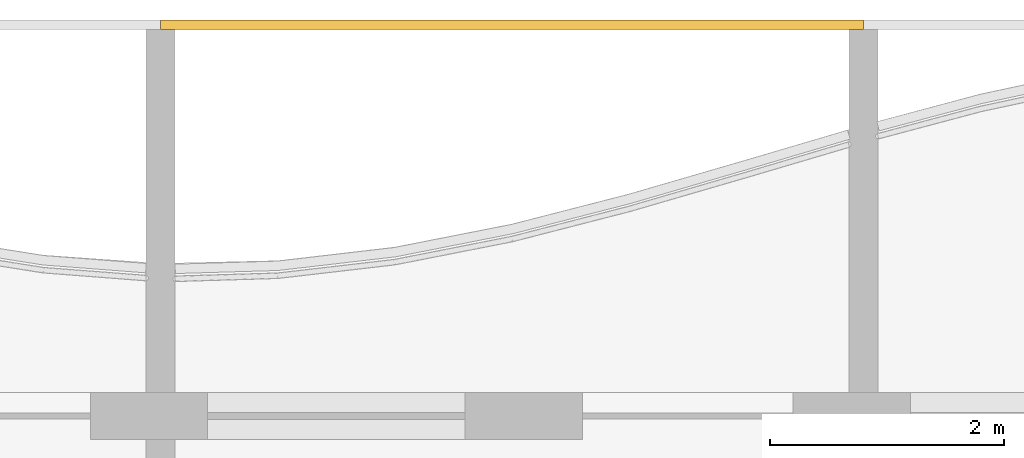
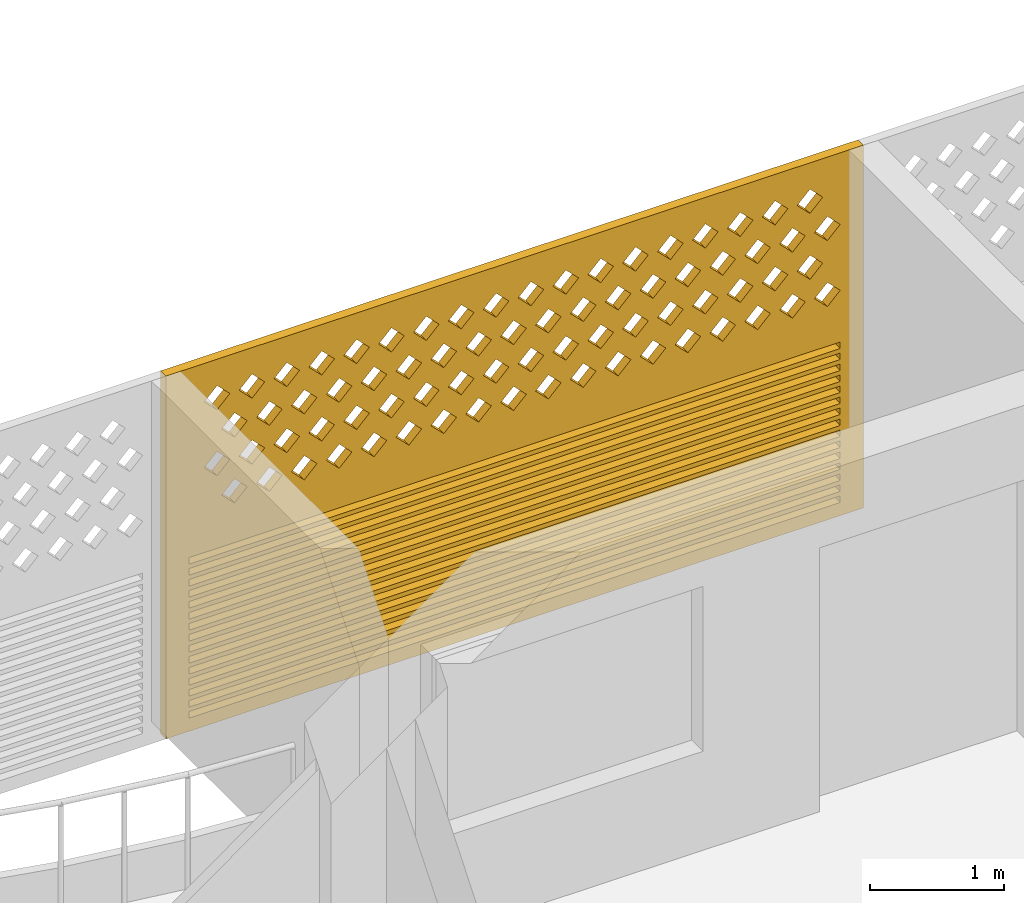
# One storey, part 21 of 29: 1 covering.
"""IFC4 building model written with IfcOpenShell, lengths in metres."""

from ifc_helpers import new_model, si_unit, direction, frame, origin, place, context, subcontext, project, spatial, polyline, outline, extrude, source, transform, mapped, material, material_profile, profile_set, type_object, element, save


model = new_model("IFC4")

# Units and contexts
model_context = context("Model", 3, precision=1e-05, world=origin(), true_north=direction((0.0, 1.0)))
body_context = subcontext(model_context, "Body", "Model", "MODEL_VIEW")
ifc_project = project(units=[si_unit("LENGTHUNIT", "METRE"), si_unit("AREAUNIT", "SQUARE_METRE"), si_unit("VOLUMEUNIT", "CUBIC_METRE"), si_unit("PLANEANGLEUNIT", "RADIAN"), si_unit("MASSUNIT", "GRAM", prefix="KILO")], contexts=[model_context])

# Site, building, storey
site_placement = place(None, origin())
site = spatial("IfcSite", under=ifc_project, at=site_placement, CompositionType="ELEMENT")
building_placement = place(site_placement, origin())
building = spatial("IfcBuilding", under=site, at=building_placement, Name="Poui Terraces", CompositionType="ELEMENT")
storey_placement = place(building_placement, frame((0.0, 0.0, 231.300048828125)))
storey = spatial("IfcBuildingStorey", under=building, at=storey_placement, Name="L64", CompositionType="ELEMENT", Elevation=231.300048828125)

# Covering
ifc_material = material(Name="Terracotta screen", Category="masonry")
ifc_material_profile = material_profile(ifc_material, outline(polyline([(-3.0, -1.64990234375), (3.0, -1.64990234375), (3.0, 1.64990234375), (-3.0, 1.64990234375), (-3.0, -1.64990234375)]), holes=[polyline([(-2.800048828125, 0.39990234375), (-2.68994140625, 0.2900390625), (-2.580078125, 0.39990234375), (-2.68994140625, 0.510009765625), (-2.800048828125, 0.39990234375)]), polyline([(-2.5, 0.39990234375), (-2.389892578125, 0.2900390625), (-2.280029296875, 0.39990234375), (-2.389892578125, 0.510009765625), (-2.5, 0.39990234375)]), polyline([(-2.199951171875, 0.39990234375), (-2.090087890625, 0.2900390625), (-1.97998046875, 0.39990234375), (-2.090087890625, 0.510009765625), (-2.199951171875, 0.39990234375)]), polyline([(-1.89990234375, 0.39990234375), (-1.7900390625, 0.2900390625), (-1.679931640625, 0.39990234375), (-1.7900390625, 0.510009765625), (-1.89990234375, 0.39990234375)]), polyline([(-1.60009765625, 0.39990234375), (-1.489990234375, 0.2900390625), (-1.3798828125, 0.39990234375), (-1.489990234375, 0.510009765625), (-1.60009765625, 0.39990234375)]), polyline([(-1.300048828125, 0.39990234375), (-1.18994140625, 0.2900390625), (-1.080078125, 0.39990234375), (-1.18994140625, 0.510009765625), (-1.300048828125, 0.39990234375)]), polyline([(-1.0, 0.39990234375), (-0.889892578125, 0.2900390625), (-0.780029296875, 0.39990234375), (-0.889892578125, 0.510009765625), (-1.0, 0.39990234375)]), polyline([(-0.699951171875, 0.39990234375), (-0.590087890625, 0.2900390625), (-0.47998046875, 0.39990234375), (-0.590087890625, 0.510009765625), (-0.699951171875, 0.39990234375)]), polyline([(-0.39990234375, 0.39990234375), (-0.2900390625, 0.2900390625), (-0.179931640625, 0.39990234375), (-0.2900390625, 0.510009765625), (-0.39990234375, 0.39990234375)]), polyline([(-0.10009765625, 0.39990234375), (0.010009765625, 0.2900390625), (0.1201171875, 0.39990234375), (0.010009765625, 0.510009765625), (-0.10009765625, 0.39990234375)]), polyline([(0.199951171875, 0.39990234375), (0.31005859375, 0.2900390625), (0.419921875, 0.39990234375), (0.31005859375, 0.510009765625), (0.199951171875, 0.39990234375)]), polyline([(0.5, 0.39990234375), (0.610107421875, 0.2900390625), (0.719970703125, 0.39990234375), (0.610107421875, 0.510009765625), (0.5, 0.39990234375)]), polyline([(0.800048828125, 0.39990234375), (0.909912109375, 0.2900390625), (1.02001953125, 0.39990234375), (0.909912109375, 0.510009765625), (0.800048828125, 0.39990234375)]), polyline([(1.10009765625, 0.39990234375), (1.2099609375, 0.2900390625), (1.320068359375, 0.39990234375), (1.2099609375, 0.510009765625), (1.10009765625, 0.39990234375)]), polyline([(1.39990234375, 0.39990234375), (1.510009765625, 0.2900390625), (1.6201171875, 0.39990234375), (1.510009765625, 0.510009765625), (1.39990234375, 0.39990234375)]), polyline([(1.699951171875, 0.39990234375), (1.81005859375, 0.2900390625), (1.919921875, 0.39990234375), (1.81005859375, 0.510009765625), (1.699951171875, 0.39990234375)]), polyline([(2.0, 0.39990234375), (2.110107421875, 0.2900390625), (2.219970703125, 0.39990234375), (2.110107421875, 0.510009765625), (2.0, 0.39990234375)]), polyline([(2.300048828125, 0.39990234375), (2.409912109375, 0.2900390625), (2.52001953125, 0.39990234375), (2.409912109375, 0.510009765625), (2.300048828125, 0.39990234375)]), polyline([(-2.64990234375, 0.699951171875), (-2.5400390625, 0.590087890625), (-2.429931640625, 0.699951171875), (-2.5400390625, 0.81005859375), (-2.64990234375, 0.699951171875)]), polyline([(-2.35009765625, 0.699951171875), (-2.239990234375, 0.590087890625), (-2.1298828125, 0.699951171875), (-2.239990234375, 0.81005859375), (-2.35009765625, 0.699951171875)]), polyline([(-2.050048828125, 0.699951171875), (-1.93994140625, 0.590087890625), (-1.830078125, 0.699951171875), (-1.93994140625, 0.81005859375), (-2.050048828125, 0.699951171875)]), polyline([(-1.75, 0.699951171875), (-1.639892578125, 0.590087890625), (-1.530029296875, 0.699951171875), (-1.639892578125, 0.81005859375), (-1.75, 0.699951171875)]), polyline([(-1.449951171875, 0.699951171875), (-1.340087890625, 0.590087890625), (-1.22998046875, 0.699951171875), (-1.340087890625, 0.81005859375), (-1.449951171875, 0.699951171875)]), polyline([(-1.14990234375, 0.699951171875), (-1.0400390625, 0.590087890625), (-0.929931640625, 0.699951171875), (-1.0400390625, 0.81005859375), (-1.14990234375, 0.699951171875)]), polyline([(-0.85009765625, 0.699951171875), (-0.739990234375, 0.590087890625), (-0.6298828125, 0.699951171875), (-0.739990234375, 0.81005859375), (-0.85009765625, 0.699951171875)]), polyline([(-0.550048828125, 0.699951171875), (-0.43994140625, 0.590087890625), (-0.330078125, 0.699951171875), (-0.43994140625, 0.81005859375), (-0.550048828125, 0.699951171875)]), polyline([(-0.25, 0.699951171875), (-0.139892578125, 0.590087890625), (-0.030029296875, 0.699951171875), (-0.139892578125, 0.81005859375), (-0.25, 0.699951171875)]), polyline([(0.050048828125, 0.699951171875), (0.159912109375, 0.590087890625), (0.27001953125, 0.699951171875), (0.159912109375, 0.81005859375), (0.050048828125, 0.699951171875)]), polyline([(0.35009765625, 0.699951171875), (0.4599609375, 0.590087890625), (0.570068359375, 0.699951171875), (0.4599609375, 0.81005859375), (0.35009765625, 0.699951171875)]), polyline([(0.64990234375, 0.699951171875), (0.760009765625, 0.590087890625), (0.8701171875, 0.699951171875), (0.760009765625, 0.81005859375), (0.64990234375, 0.699951171875)]), polyline([(0.949951171875, 0.699951171875), (1.06005859375, 0.590087890625), (1.169921875, 0.699951171875), (1.06005859375, 0.81005859375), (0.949951171875, 0.699951171875)]), polyline([(1.25, 0.699951171875), (1.360107421875, 0.590087890625), (1.469970703125, 0.699951171875), (1.360107421875, 0.81005859375), (1.25, 0.699951171875)]), polyline([(1.550048828125, 0.699951171875), (1.659912109375, 0.590087890625), (1.77001953125, 0.699951171875), (1.659912109375, 0.81005859375), (1.550048828125, 0.699951171875)]), polyline([(1.85009765625, 0.699951171875), (1.9599609375, 0.590087890625), (2.070068359375, 0.699951171875), (1.9599609375, 0.81005859375), (1.85009765625, 0.699951171875)]), polyline([(2.14990234375, 0.699951171875), (2.260009765625, 0.590087890625), (2.3701171875, 0.699951171875), (2.260009765625, 0.81005859375), (2.14990234375, 0.699951171875)]), polyline([(2.449951171875, 0.699951171875), (2.56005859375, 0.590087890625), (2.669921875, 0.699951171875), (2.56005859375, 0.81005859375), (2.449951171875, 0.699951171875)]), polyline([(-2.800048828125, 1.0), (-2.68994140625, 0.889892578125), (-2.580078125, 1.0), (-2.68994140625, 1.110107421875), (-2.800048828125, 1.0)]), polyline([(-2.5, 1.0), (-2.389892578125, 0.889892578125), (-2.280029296875, 1.0), (-2.389892578125, 1.110107421875), (-2.5, 1.0)]), polyline([(-2.199951171875, 1.0), (-2.090087890625, 0.889892578125), (-1.97998046875, 1.0), (-2.090087890625, 1.110107421875), (-2.199951171875, 1.0)]), polyline([(-1.89990234375, 1.0), (-1.7900390625, 0.889892578125), (-1.679931640625, 1.0), (-1.7900390625, 1.110107421875), (-1.89990234375, 1.0)]), polyline([(-1.60009765625, 1.0), (-1.489990234375, 0.889892578125), (-1.3798828125, 1.0), (-1.489990234375, 1.110107421875), (-1.60009765625, 1.0)]), polyline([(-1.300048828125, 1.0), (-1.18994140625, 0.889892578125), (-1.080078125, 1.0), (-1.18994140625, 1.110107421875), (-1.300048828125, 1.0)]), polyline([(-1.0, 1.0), (-0.889892578125, 0.889892578125), (-0.780029296875, 1.0), (-0.889892578125, 1.110107421875), (-1.0, 1.0)]), polyline([(-0.699951171875, 1.0), (-0.590087890625, 0.889892578125), (-0.47998046875, 1.0), (-0.590087890625, 1.110107421875), (-0.699951171875, 1.0)]), polyline([(-0.39990234375, 1.0), (-0.2900390625, 0.889892578125), (-0.179931640625, 1.0), (-0.2900390625, 1.110107421875), (-0.39990234375, 1.0)]), polyline([(-0.10009765625, 1.0), (0.010009765625, 0.889892578125), (0.1201171875, 1.0), (0.010009765625, 1.110107421875), (-0.10009765625, 1.0)]), polyline([(0.199951171875, 1.0), (0.31005859375, 0.889892578125), (0.419921875, 1.0), (0.31005859375, 1.110107421875), (0.199951171875, 1.0)]), polyline([(0.5, 1.0), (0.610107421875, 0.889892578125), (0.719970703125, 1.0), (0.610107421875, 1.110107421875), (0.5, 1.0)]), polyline([(0.800048828125, 1.0), (0.909912109375, 0.889892578125), (1.02001953125, 1.0), (0.909912109375, 1.110107421875), (0.800048828125, 1.0)]), polyline([(1.10009765625, 1.0), (1.2099609375, 0.889892578125), (1.320068359375, 1.0), (1.2099609375, 1.110107421875), (1.10009765625, 1.0)]), polyline([(1.39990234375, 1.0), (1.510009765625, 0.889892578125), (1.6201171875, 1.0), (1.510009765625, 1.110107421875), (1.39990234375, 1.0)]), polyline([(1.699951171875, 1.0), (1.81005859375, 0.889892578125), (1.919921875, 1.0), (1.81005859375, 1.110107421875), (1.699951171875, 1.0)]), polyline([(2.0, 1.0), (2.110107421875, 0.889892578125), (2.219970703125, 1.0), (2.110107421875, 1.110107421875), (2.0, 1.0)]), polyline([(2.300048828125, 1.0), (2.409912109375, 0.889892578125), (2.52001953125, 1.0), (2.409912109375, 1.110107421875), (2.300048828125, 1.0)]), polyline([(-2.64990234375, 1.300048828125), (-2.5400390625, 1.18994140625), (-2.429931640625, 1.300048828125), (-2.5400390625, 1.409912109375), (-2.64990234375, 1.300048828125)]), polyline([(-2.35009765625, 1.300048828125), (-2.239990234375, 1.18994140625), (-2.1298828125, 1.300048828125), (-2.239990234375, 1.409912109375), (-2.35009765625, 1.300048828125)]), polyline([(-2.050048828125, 1.300048828125), (-1.93994140625, 1.18994140625), (-1.830078125, 1.300048828125), (-1.93994140625, 1.409912109375), (-2.050048828125, 1.300048828125)]), polyline([(-1.75, 1.300048828125), (-1.639892578125, 1.18994140625), (-1.530029296875, 1.300048828125), (-1.639892578125, 1.409912109375), (-1.75, 1.300048828125)]), polyline([(-1.449951171875, 1.300048828125), (-1.340087890625, 1.18994140625), (-1.22998046875, 1.300048828125), (-1.340087890625, 1.409912109375), (-1.449951171875, 1.300048828125)]), polyline([(-1.14990234375, 1.300048828125), (-1.0400390625, 1.18994140625), (-0.929931640625, 1.300048828125), (-1.0400390625, 1.409912109375), (-1.14990234375, 1.300048828125)]), polyline([(-0.85009765625, 1.300048828125), (-0.739990234375, 1.18994140625), (-0.6298828125, 1.300048828125), (-0.739990234375, 1.409912109375), (-0.85009765625, 1.300048828125)]), polyline([(-0.550048828125, 1.300048828125), (-0.43994140625, 1.18994140625), (-0.330078125, 1.300048828125), (-0.43994140625, 1.409912109375), (-0.550048828125, 1.300048828125)]), polyline([(-0.25, 1.300048828125), (-0.139892578125, 1.18994140625), (-0.030029296875, 1.300048828125), (-0.139892578125, 1.409912109375), (-0.25, 1.300048828125)]), polyline([(0.050048828125, 1.300048828125), (0.159912109375, 1.18994140625), (0.27001953125, 1.300048828125), (0.159912109375, 1.409912109375), (0.050048828125, 1.300048828125)]), polyline([(0.35009765625, 1.300048828125), (0.4599609375, 1.18994140625), (0.570068359375, 1.300048828125), (0.4599609375, 1.409912109375), (0.35009765625, 1.300048828125)]), polyline([(0.64990234375, 1.300048828125), (0.760009765625, 1.18994140625), (0.8701171875, 1.300048828125), (0.760009765625, 1.409912109375), (0.64990234375, 1.300048828125)]), polyline([(0.949951171875, 1.300048828125), (1.06005859375, 1.18994140625), (1.169921875, 1.300048828125), (1.06005859375, 1.409912109375), (0.949951171875, 1.300048828125)]), polyline([(1.25, 1.300048828125), (1.360107421875, 1.18994140625), (1.469970703125, 1.300048828125), (1.360107421875, 1.409912109375), (1.25, 1.300048828125)]), polyline([(1.550048828125, 1.300048828125), (1.659912109375, 1.18994140625), (1.77001953125, 1.300048828125), (1.659912109375, 1.409912109375), (1.550048828125, 1.300048828125)]), polyline([(1.85009765625, 1.300048828125), (1.9599609375, 1.18994140625), (2.070068359375, 1.300048828125), (1.9599609375, 1.409912109375), (1.85009765625, 1.300048828125)]), polyline([(2.14990234375, 1.300048828125), (2.260009765625, 1.18994140625), (2.3701171875, 1.300048828125), (2.260009765625, 1.409912109375), (2.14990234375, 1.300048828125)]), polyline([(2.449951171875, 1.300048828125), (2.56005859375, 1.18994140625), (2.669921875, 1.300048828125), (2.56005859375, 1.409912109375), (2.449951171875, 1.300048828125)]), polyline([(-2.800048828125, -1.530029296875), (2.800048828125, -1.530029296875), (2.800048828125, -1.469970703125), (-2.800048828125, -1.469970703125), (-2.800048828125, -1.530029296875)]), polyline([(-2.800048828125, -1.429931640625), (2.800048828125, -1.429931640625), (2.800048828125, -1.3701171875), (-2.800048828125, -1.3701171875), (-2.800048828125, -1.429931640625)]), polyline([(-2.800048828125, -1.330078125), (2.800048828125, -1.330078125), (2.800048828125, -1.27001953125), (-2.800048828125, -1.27001953125), (-2.800048828125, -1.330078125)]), polyline([(-2.800048828125, -1.22998046875), (2.800048828125, -1.22998046875), (2.800048828125, -1.169921875), (-2.800048828125, -1.169921875), (-2.800048828125, -1.22998046875)]), polyline([(-2.800048828125, -1.1298828125), (2.800048828125, -1.1298828125), (2.800048828125, -1.070068359375), (-2.800048828125, -1.070068359375), (-2.800048828125, -1.1298828125)]), polyline([(-2.800048828125, -1.030029296875), (2.800048828125, -1.030029296875), (2.800048828125, -0.969970703125), (-2.800048828125, -0.969970703125), (-2.800048828125, -1.030029296875)]), polyline([(-2.800048828125, -0.929931640625), (2.800048828125, -0.929931640625), (2.800048828125, -0.8701171875), (-2.800048828125, -0.8701171875), (-2.800048828125, -0.929931640625)]), polyline([(-2.800048828125, -0.830078125), (2.800048828125, -0.830078125), (2.800048828125, -0.77001953125), (-2.800048828125, -0.77001953125), (-2.800048828125, -0.830078125)]), polyline([(-2.800048828125, -0.72998046875), (2.800048828125, -0.72998046875), (2.800048828125, -0.669921875), (-2.800048828125, -0.669921875), (-2.800048828125, -0.72998046875)]), polyline([(-2.800048828125, -0.6298828125), (2.800048828125, -0.6298828125), (2.800048828125, -0.570068359375), (-2.800048828125, -0.570068359375), (-2.800048828125, -0.6298828125)]), polyline([(-2.800048828125, -0.530029296875), (2.800048828125, -0.530029296875), (2.800048828125, -0.469970703125), (-2.800048828125, -0.469970703125), (-2.800048828125, -0.530029296875)]), polyline([(-2.800048828125, -0.429931640625), (2.800048828125, -0.429931640625), (2.800048828125, -0.3701171875), (-2.800048828125, -0.3701171875), (-2.800048828125, -0.429931640625)]), polyline([(-2.800048828125, -0.330078125), (2.800048828125, -0.330078125), (2.800048828125, -0.27001953125), (-2.800048828125, -0.27001953125), (-2.800048828125, -0.330078125)]), polyline([(-2.800048828125, -0.22998046875), (2.800048828125, -0.22998046875), (2.800048828125, -0.169921875), (-2.800048828125, -0.169921875), (-2.800048828125, -0.22998046875)]), polyline([(-2.800048828125, -0.1298828125), (2.800048828125, -0.1298828125), (2.800048828125, -0.070068359375), (-2.800048828125, -0.070068359375), (-2.800048828125, -0.1298828125)])]), Name="TERRACOTTA SCREEN AND JALOUSIE LOUVRE 6000X3300")
ifc_profile_set = profile_set([ifc_material_profile], Name="Terracotta screen")
covering_type = type_object("IfcCoveringType", Name="TERRACOTTA SCREEN AND JALOUSIE LOUVRE 6000X3300", PredefinedType="CLADDING", material=ifc_profile_set)
shared_shape = source(origin(), body_context, "Body", "SweptSolid", [
    extrude(outline(polyline([(-3.0, -1.64990234375), (3.0, -1.64990234375), (3.0, 1.64990234375), (-3.0, 1.64990234375), (-3.0, -1.64990234375)]), holes=[polyline([(-2.800048828125, 0.39990234375), (-2.68994140625, 0.2900390625), (-2.580078125, 0.39990234375), (-2.68994140625, 0.510009765625), (-2.800048828125, 0.39990234375)]), polyline([(-2.5, 0.39990234375), (-2.389892578125, 0.2900390625), (-2.280029296875, 0.39990234375), (-2.389892578125, 0.510009765625), (-2.5, 0.39990234375)]), polyline([(-2.199951171875, 0.39990234375), (-2.090087890625, 0.2900390625), (-1.97998046875, 0.39990234375), (-2.090087890625, 0.510009765625), (-2.199951171875, 0.39990234375)]), polyline([(-1.89990234375, 0.39990234375), (-1.7900390625, 0.2900390625), (-1.679931640625, 0.39990234375), (-1.7900390625, 0.510009765625), (-1.89990234375, 0.39990234375)]), polyline([(-1.60009765625, 0.39990234375), (-1.489990234375, 0.2900390625), (-1.3798828125, 0.39990234375), (-1.489990234375, 0.510009765625), (-1.60009765625, 0.39990234375)]), polyline([(-1.300048828125, 0.39990234375), (-1.18994140625, 0.2900390625), (-1.080078125, 0.39990234375), (-1.18994140625, 0.510009765625), (-1.300048828125, 0.39990234375)]), polyline([(-1.0, 0.39990234375), (-0.889892578125, 0.2900390625), (-0.780029296875, 0.39990234375), (-0.889892578125, 0.510009765625), (-1.0, 0.39990234375)]), polyline([(-0.699951171875, 0.39990234375), (-0.590087890625, 0.2900390625), (-0.47998046875, 0.39990234375), (-0.590087890625, 0.510009765625), (-0.699951171875, 0.39990234375)]), polyline([(-0.39990234375, 0.39990234375), (-0.2900390625, 0.2900390625), (-0.179931640625, 0.39990234375), (-0.2900390625, 0.510009765625), (-0.39990234375, 0.39990234375)]), polyline([(-0.10009765625, 0.39990234375), (0.010009765625, 0.2900390625), (0.1201171875, 0.39990234375), (0.010009765625, 0.510009765625), (-0.10009765625, 0.39990234375)]), polyline([(0.199951171875, 0.39990234375), (0.31005859375, 0.2900390625), (0.419921875, 0.39990234375), (0.31005859375, 0.510009765625), (0.199951171875, 0.39990234375)]), polyline([(0.5, 0.39990234375), (0.610107421875, 0.2900390625), (0.719970703125, 0.39990234375), (0.610107421875, 0.510009765625), (0.5, 0.39990234375)]), polyline([(0.800048828125, 0.39990234375), (0.909912109375, 0.2900390625), (1.02001953125, 0.39990234375), (0.909912109375, 0.510009765625), (0.800048828125, 0.39990234375)]), polyline([(1.10009765625, 0.39990234375), (1.2099609375, 0.2900390625), (1.320068359375, 0.39990234375), (1.2099609375, 0.510009765625), (1.10009765625, 0.39990234375)]), polyline([(1.39990234375, 0.39990234375), (1.510009765625, 0.2900390625), (1.6201171875, 0.39990234375), (1.510009765625, 0.510009765625), (1.39990234375, 0.39990234375)]), polyline([(1.699951171875, 0.39990234375), (1.81005859375, 0.2900390625), (1.919921875, 0.39990234375), (1.81005859375, 0.510009765625), (1.699951171875, 0.39990234375)]), polyline([(2.0, 0.39990234375), (2.110107421875, 0.2900390625), (2.219970703125, 0.39990234375), (2.110107421875, 0.510009765625), (2.0, 0.39990234375)]), polyline([(2.300048828125, 0.39990234375), (2.409912109375, 0.2900390625), (2.52001953125, 0.39990234375), (2.409912109375, 0.510009765625), (2.300048828125, 0.39990234375)]), polyline([(-2.64990234375, 0.699951171875), (-2.5400390625, 0.590087890625), (-2.429931640625, 0.699951171875), (-2.5400390625, 0.81005859375), (-2.64990234375, 0.699951171875)]), polyline([(-2.35009765625, 0.699951171875), (-2.239990234375, 0.590087890625), (-2.1298828125, 0.699951171875), (-2.239990234375, 0.81005859375), (-2.35009765625, 0.699951171875)]), polyline([(-2.050048828125, 0.699951171875), (-1.93994140625, 0.590087890625), (-1.830078125, 0.699951171875), (-1.93994140625, 0.81005859375), (-2.050048828125, 0.699951171875)]), polyline([(-1.75, 0.699951171875), (-1.639892578125, 0.590087890625), (-1.530029296875, 0.699951171875), (-1.639892578125, 0.81005859375), (-1.75, 0.699951171875)]), polyline([(-1.449951171875, 0.699951171875), (-1.340087890625, 0.590087890625), (-1.22998046875, 0.699951171875), (-1.340087890625, 0.81005859375), (-1.449951171875, 0.699951171875)]), polyline([(-1.14990234375, 0.699951171875), (-1.0400390625, 0.590087890625), (-0.929931640625, 0.699951171875), (-1.0400390625, 0.81005859375), (-1.14990234375, 0.699951171875)]), polyline([(-0.85009765625, 0.699951171875), (-0.739990234375, 0.590087890625), (-0.6298828125, 0.699951171875), (-0.739990234375, 0.81005859375), (-0.85009765625, 0.699951171875)]), polyline([(-0.550048828125, 0.699951171875), (-0.43994140625, 0.590087890625), (-0.330078125, 0.699951171875), (-0.43994140625, 0.81005859375), (-0.550048828125, 0.699951171875)]), polyline([(-0.25, 0.699951171875), (-0.139892578125, 0.590087890625), (-0.030029296875, 0.699951171875), (-0.139892578125, 0.81005859375), (-0.25, 0.699951171875)]), polyline([(0.050048828125, 0.699951171875), (0.159912109375, 0.590087890625), (0.27001953125, 0.699951171875), (0.159912109375, 0.81005859375), (0.050048828125, 0.699951171875)]), polyline([(0.35009765625, 0.699951171875), (0.4599609375, 0.590087890625), (0.570068359375, 0.699951171875), (0.4599609375, 0.81005859375), (0.35009765625, 0.699951171875)]), polyline([(0.64990234375, 0.699951171875), (0.760009765625, 0.590087890625), (0.8701171875, 0.699951171875), (0.760009765625, 0.81005859375), (0.64990234375, 0.699951171875)]), polyline([(0.949951171875, 0.699951171875), (1.06005859375, 0.590087890625), (1.169921875, 0.699951171875), (1.06005859375, 0.81005859375), (0.949951171875, 0.699951171875)]), polyline([(1.25, 0.699951171875), (1.360107421875, 0.590087890625), (1.469970703125, 0.699951171875), (1.360107421875, 0.81005859375), (1.25, 0.699951171875)]), polyline([(1.550048828125, 0.699951171875), (1.659912109375, 0.590087890625), (1.77001953125, 0.699951171875), (1.659912109375, 0.81005859375), (1.550048828125, 0.699951171875)]), polyline([(1.85009765625, 0.699951171875), (1.9599609375, 0.590087890625), (2.070068359375, 0.699951171875), (1.9599609375, 0.81005859375), (1.85009765625, 0.699951171875)]), polyline([(2.14990234375, 0.699951171875), (2.260009765625, 0.590087890625), (2.3701171875, 0.699951171875), (2.260009765625, 0.81005859375), (2.14990234375, 0.699951171875)]), polyline([(2.449951171875, 0.699951171875), (2.56005859375, 0.590087890625), (2.669921875, 0.699951171875), (2.56005859375, 0.81005859375), (2.449951171875, 0.699951171875)]), polyline([(-2.800048828125, 1.0), (-2.68994140625, 0.889892578125), (-2.580078125, 1.0), (-2.68994140625, 1.110107421875), (-2.800048828125, 1.0)]), polyline([(-2.5, 1.0), (-2.389892578125, 0.889892578125), (-2.280029296875, 1.0), (-2.389892578125, 1.110107421875), (-2.5, 1.0)]), polyline([(-2.199951171875, 1.0), (-2.090087890625, 0.889892578125), (-1.97998046875, 1.0), (-2.090087890625, 1.110107421875), (-2.199951171875, 1.0)]), polyline([(-1.89990234375, 1.0), (-1.7900390625, 0.889892578125), (-1.679931640625, 1.0), (-1.7900390625, 1.110107421875), (-1.89990234375, 1.0)]), polyline([(-1.60009765625, 1.0), (-1.489990234375, 0.889892578125), (-1.3798828125, 1.0), (-1.489990234375, 1.110107421875), (-1.60009765625, 1.0)]), polyline([(-1.300048828125, 1.0), (-1.18994140625, 0.889892578125), (-1.080078125, 1.0), (-1.18994140625, 1.110107421875), (-1.300048828125, 1.0)]), polyline([(-1.0, 1.0), (-0.889892578125, 0.889892578125), (-0.780029296875, 1.0), (-0.889892578125, 1.110107421875), (-1.0, 1.0)]), polyline([(-0.699951171875, 1.0), (-0.590087890625, 0.889892578125), (-0.47998046875, 1.0), (-0.590087890625, 1.110107421875), (-0.699951171875, 1.0)]), polyline([(-0.39990234375, 1.0), (-0.2900390625, 0.889892578125), (-0.179931640625, 1.0), (-0.2900390625, 1.110107421875), (-0.39990234375, 1.0)]), polyline([(-0.10009765625, 1.0), (0.010009765625, 0.889892578125), (0.1201171875, 1.0), (0.010009765625, 1.110107421875), (-0.10009765625, 1.0)]), polyline([(0.199951171875, 1.0), (0.31005859375, 0.889892578125), (0.419921875, 1.0), (0.31005859375, 1.110107421875), (0.199951171875, 1.0)]), polyline([(0.5, 1.0), (0.610107421875, 0.889892578125), (0.719970703125, 1.0), (0.610107421875, 1.110107421875), (0.5, 1.0)]), polyline([(0.800048828125, 1.0), (0.909912109375, 0.889892578125), (1.02001953125, 1.0), (0.909912109375, 1.110107421875), (0.800048828125, 1.0)]), polyline([(1.10009765625, 1.0), (1.2099609375, 0.889892578125), (1.320068359375, 1.0), (1.2099609375, 1.110107421875), (1.10009765625, 1.0)]), polyline([(1.39990234375, 1.0), (1.510009765625, 0.889892578125), (1.6201171875, 1.0), (1.510009765625, 1.110107421875), (1.39990234375, 1.0)]), polyline([(1.699951171875, 1.0), (1.81005859375, 0.889892578125), (1.919921875, 1.0), (1.81005859375, 1.110107421875), (1.699951171875, 1.0)]), polyline([(2.0, 1.0), (2.110107421875, 0.889892578125), (2.219970703125, 1.0), (2.110107421875, 1.110107421875), (2.0, 1.0)]), polyline([(2.300048828125, 1.0), (2.409912109375, 0.889892578125), (2.52001953125, 1.0), (2.409912109375, 1.110107421875), (2.300048828125, 1.0)]), polyline([(-2.64990234375, 1.300048828125), (-2.5400390625, 1.18994140625), (-2.429931640625, 1.300048828125), (-2.5400390625, 1.409912109375), (-2.64990234375, 1.300048828125)]), polyline([(-2.35009765625, 1.300048828125), (-2.239990234375, 1.18994140625), (-2.1298828125, 1.300048828125), (-2.239990234375, 1.409912109375), (-2.35009765625, 1.300048828125)]), polyline([(-2.050048828125, 1.300048828125), (-1.93994140625, 1.18994140625), (-1.830078125, 1.300048828125), (-1.93994140625, 1.409912109375), (-2.050048828125, 1.300048828125)]), polyline([(-1.75, 1.300048828125), (-1.639892578125, 1.18994140625), (-1.530029296875, 1.300048828125), (-1.639892578125, 1.409912109375), (-1.75, 1.300048828125)]), polyline([(-1.449951171875, 1.300048828125), (-1.340087890625, 1.18994140625), (-1.22998046875, 1.300048828125), (-1.340087890625, 1.409912109375), (-1.449951171875, 1.300048828125)]), polyline([(-1.14990234375, 1.300048828125), (-1.0400390625, 1.18994140625), (-0.929931640625, 1.300048828125), (-1.0400390625, 1.409912109375), (-1.14990234375, 1.300048828125)]), polyline([(-0.85009765625, 1.300048828125), (-0.739990234375, 1.18994140625), (-0.6298828125, 1.300048828125), (-0.739990234375, 1.409912109375), (-0.85009765625, 1.300048828125)]), polyline([(-0.550048828125, 1.300048828125), (-0.43994140625, 1.18994140625), (-0.330078125, 1.300048828125), (-0.43994140625, 1.409912109375), (-0.550048828125, 1.300048828125)]), polyline([(-0.25, 1.300048828125), (-0.139892578125, 1.18994140625), (-0.030029296875, 1.300048828125), (-0.139892578125, 1.409912109375), (-0.25, 1.300048828125)]), polyline([(0.050048828125, 1.300048828125), (0.159912109375, 1.18994140625), (0.27001953125, 1.300048828125), (0.159912109375, 1.409912109375), (0.050048828125, 1.300048828125)]), polyline([(0.35009765625, 1.300048828125), (0.4599609375, 1.18994140625), (0.570068359375, 1.300048828125), (0.4599609375, 1.409912109375), (0.35009765625, 1.300048828125)]), polyline([(0.64990234375, 1.300048828125), (0.760009765625, 1.18994140625), (0.8701171875, 1.300048828125), (0.760009765625, 1.409912109375), (0.64990234375, 1.300048828125)]), polyline([(0.949951171875, 1.300048828125), (1.06005859375, 1.18994140625), (1.169921875, 1.300048828125), (1.06005859375, 1.409912109375), (0.949951171875, 1.300048828125)]), polyline([(1.25, 1.300048828125), (1.360107421875, 1.18994140625), (1.469970703125, 1.300048828125), (1.360107421875, 1.409912109375), (1.25, 1.300048828125)]), polyline([(1.550048828125, 1.300048828125), (1.659912109375, 1.18994140625), (1.77001953125, 1.300048828125), (1.659912109375, 1.409912109375), (1.550048828125, 1.300048828125)]), polyline([(1.85009765625, 1.300048828125), (1.9599609375, 1.18994140625), (2.070068359375, 1.300048828125), (1.9599609375, 1.409912109375), (1.85009765625, 1.300048828125)]), polyline([(2.14990234375, 1.300048828125), (2.260009765625, 1.18994140625), (2.3701171875, 1.300048828125), (2.260009765625, 1.409912109375), (2.14990234375, 1.300048828125)]), polyline([(2.449951171875, 1.300048828125), (2.56005859375, 1.18994140625), (2.669921875, 1.300048828125), (2.56005859375, 1.409912109375), (2.449951171875, 1.300048828125)]), polyline([(-2.800048828125, -1.530029296875), (2.800048828125, -1.530029296875), (2.800048828125, -1.469970703125), (-2.800048828125, -1.469970703125), (-2.800048828125, -1.530029296875)]), polyline([(-2.800048828125, -1.429931640625), (2.800048828125, -1.429931640625), (2.800048828125, -1.3701171875), (-2.800048828125, -1.3701171875), (-2.800048828125, -1.429931640625)]), polyline([(-2.800048828125, -1.330078125), (2.800048828125, -1.330078125), (2.800048828125, -1.27001953125), (-2.800048828125, -1.27001953125), (-2.800048828125, -1.330078125)]), polyline([(-2.800048828125, -1.22998046875), (2.800048828125, -1.22998046875), (2.800048828125, -1.169921875), (-2.800048828125, -1.169921875), (-2.800048828125, -1.22998046875)]), polyline([(-2.800048828125, -1.1298828125), (2.800048828125, -1.1298828125), (2.800048828125, -1.070068359375), (-2.800048828125, -1.070068359375), (-2.800048828125, -1.1298828125)]), polyline([(-2.800048828125, -1.030029296875), (2.800048828125, -1.030029296875), (2.800048828125, -0.969970703125), (-2.800048828125, -0.969970703125), (-2.800048828125, -1.030029296875)]), polyline([(-2.800048828125, -0.929931640625), (2.800048828125, -0.929931640625), (2.800048828125, -0.8701171875), (-2.800048828125, -0.8701171875), (-2.800048828125, -0.929931640625)]), polyline([(-2.800048828125, -0.830078125), (2.800048828125, -0.830078125), (2.800048828125, -0.77001953125), (-2.800048828125, -0.77001953125), (-2.800048828125, -0.830078125)]), polyline([(-2.800048828125, -0.72998046875), (2.800048828125, -0.72998046875), (2.800048828125, -0.669921875), (-2.800048828125, -0.669921875), (-2.800048828125, -0.72998046875)]), polyline([(-2.800048828125, -0.6298828125), (2.800048828125, -0.6298828125), (2.800048828125, -0.570068359375), (-2.800048828125, -0.570068359375), (-2.800048828125, -0.6298828125)]), polyline([(-2.800048828125, -0.530029296875), (2.800048828125, -0.530029296875), (2.800048828125, -0.469970703125), (-2.800048828125, -0.469970703125), (-2.800048828125, -0.530029296875)]), polyline([(-2.800048828125, -0.429931640625), (2.800048828125, -0.429931640625), (2.800048828125, -0.3701171875), (-2.800048828125, -0.3701171875), (-2.800048828125, -0.429931640625)]), polyline([(-2.800048828125, -0.330078125), (2.800048828125, -0.330078125), (2.800048828125, -0.27001953125), (-2.800048828125, -0.27001953125), (-2.800048828125, -0.330078125)]), polyline([(-2.800048828125, -0.22998046875), (2.800048828125, -0.22998046875), (2.800048828125, -0.169921875), (-2.800048828125, -0.169921875), (-2.800048828125, -0.22998046875)]), polyline([(-2.800048828125, -0.1298828125), (2.800048828125, -0.1298828125), (2.800048828125, -0.070068359375), (-2.800048828125, -0.070068359375), (-2.800048828125, -0.1298828125)])]), origin(), (0.0, 0.0, 1.0), 0.080078125),
])
covering_placement = place(storey_placement, frame((45.0, 44.5, 1.449951171875), z_axis=(0.0, 1.0, 0.0), x_axis=(-1.0, 0.0, 0.0)))
element("IfcCovering", 1, at=covering_placement, inside=storey, type_object=covering_type, Name="SOLAR SCREEN AND JALOUSIE LOUVRE", PredefinedType="CLADDING", context=body_context, shape_type="MappedRepresentation", body=[
    mapped(shared_shape, transform((0.0, 0.0, 0.0))),
])

save(model, "model.ifc")
